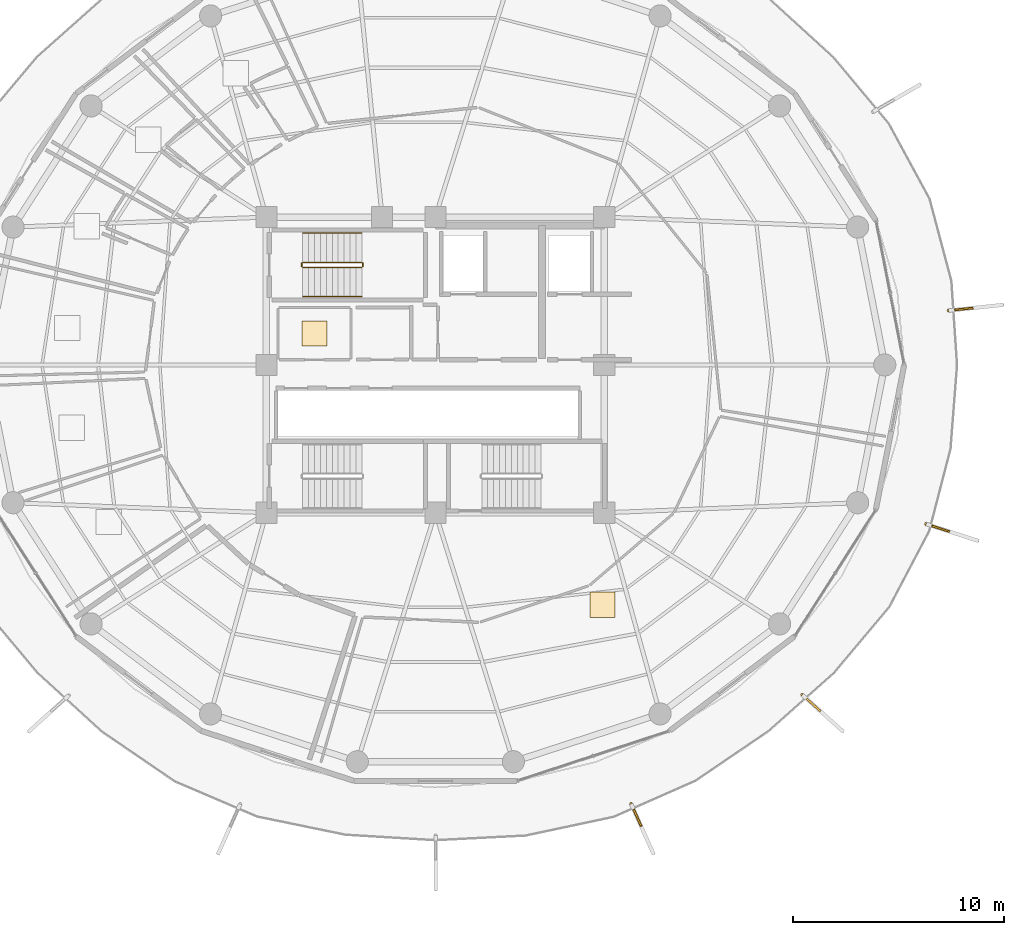
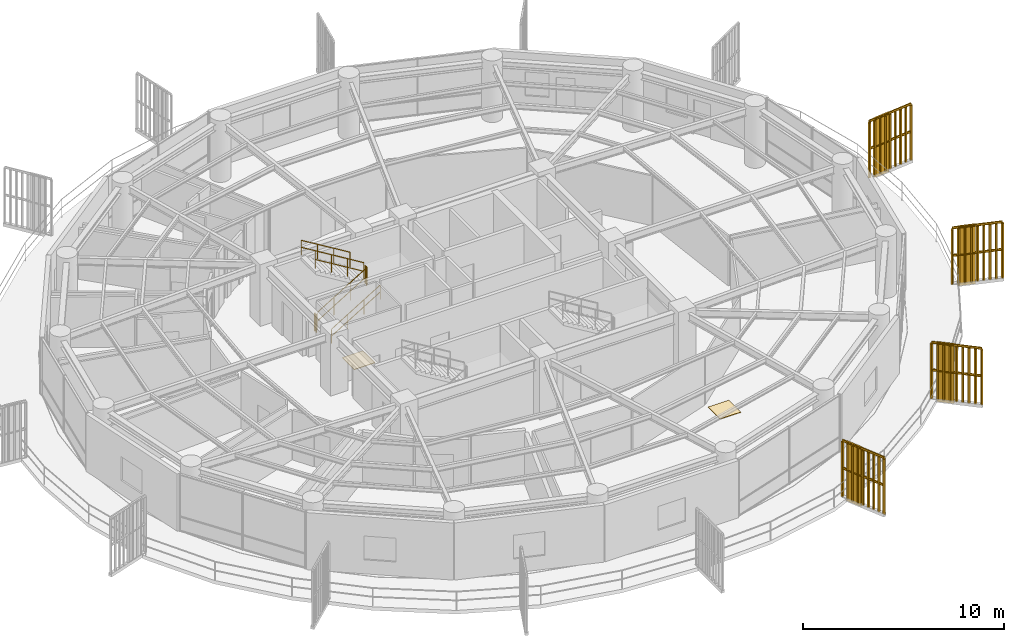
# One storey, part 30 of 31: 10 railings, 4 shading devices, 2 coverings.
"""IFC4 building model written with IfcOpenShell, lengths in metres."""

import ifcopenshell
import ifcopenshell.guid

model = None  # the IFC model being written
_history = None  # IfcOwnerHistory: only IFC2X3 demands one
_inside = {}  # id of a spatial element -> (the spatial element, [elements in it])
_under = {}  # id of a project, library or spatial element -> (it, [spatial elements below it])
_declared = {}  # id of a project -> (the project, [libraries it declares])
_typed = {}  # id of a type object -> (the type object, [elements of that type])
_made_of = {}  # id of a material, layer set ... -> (it, [elements and type objects made of it])


def new_model(schema):
    """Start an empty IFC model of exactly this schema.

    Asked for "IFC4X3", IfcOpenShell would pick the latest addendum, in which some entities
    have other attributes; the version numbers below select the first issue.
    IFC2X3 requires an IfcOwnerHistory on every rooted entity: one is made here for all.
    """
    global model, _history
    if schema == "IFC4X3":
        model = ifcopenshell.file(schema_version=(4, 3, 0, 0))
    else:
        model = ifcopenshell.file(schema=schema)
    _inside.clear()
    _under.clear()
    _declared.clear()
    _typed.clear()
    _made_of.clear()
    _history = None
    if model.schema == "IFC2X3":
        org = make("IfcOrganization", Name="unknown")
        user = make(
            "IfcPersonAndOrganization",
            ThePerson=make("IfcPerson", FamilyName="unknown"),
            TheOrganization=org,
        )
        app = make(
            "IfcApplication",
            ApplicationDeveloper=org,
            Version="unknown",
            ApplicationFullName="unknown",
            ApplicationIdentifier="unknown",
        )
        _history = make(
            "IfcOwnerHistory",
            OwningUser=user,
            OwningApplication=app,
            ChangeAction="ADDED",
            CreationDate=0,
        )
    return model


def make(cls, **values):
    """One entity of the class cls with the attributes given. An attribute that is None is left unset."""
    return model.create_entity(
        cls, **{name: value for name, value in values.items() if value is not None}
    )


def rooted(cls, **values):
    """An entity with a GlobalId (a new one), such as an element, a storey or a relation."""
    return make(cls, GlobalId=ifcopenshell.guid.new(), OwnerHistory=_history, **values)


def si_unit(unit_type, name, prefix=None):
    """IfcSIUnit, for example si_unit("LENGTHUNIT", "METRE", prefix="MILLI")."""
    return make("IfcSIUnit", UnitType=unit_type, Prefix=prefix, Name=name)


def assignment(units):
    """IfcUnitAssignment: the units of a project."""
    return None if units is None else make("IfcUnitAssignment", Units=units)


def point(xyz):
    """IfcCartesianPoint."""
    return None if xyz is None else make("IfcCartesianPoint", Coordinates=xyz)


def direction(xyz):
    """IfcDirection."""
    return None if xyz is None else make("IfcDirection", DirectionRatios=xyz)


def frame(location, z_axis=None, x_axis=None):
    """IfcAxis2Placement3D, a coordinate frame: its origin and axes. An axis left out is left unset."""
    return make(
        "IfcAxis2Placement3D",
        Location=point(location),
        Axis=direction(z_axis),
        RefDirection=direction(x_axis),
    )


def frame_2d(location, x_axis=None):
    """IfcAxis2Placement2D, a coordinate frame in the plane: its origin and x axis."""
    return make(
        "IfcAxis2Placement2D", Location=point(location), RefDirection=direction(x_axis)
    )


def origin():
    """The frame at (0, 0, 0) with its axes left unset."""
    return frame((0.0, 0.0, 0.0))


def origin_2d():
    """The frame at (0, 0) in the plane with its x axis left unset."""
    return frame_2d((0.0, 0.0))


def place(relative_to, where):
    """IfcLocalPlacement: puts the frame where relative to a parent placement (None: the world)."""
    return make(
        "IfcLocalPlacement", PlacementRelTo=relative_to, RelativePlacement=where
    )


def context(
    kind, dimensions, precision=None, world=None, true_north=None, identifier=None
):
    """IfcGeometricRepresentationContext, for example the 3D "Model" context."""
    return make(
        "IfcGeometricRepresentationContext",
        ContextIdentifier=identifier,
        ContextType=kind,
        CoordinateSpaceDimension=dimensions,
        Precision=precision,
        WorldCoordinateSystem=world,
        TrueNorth=true_north,
    )


def subcontext(parent, identifier, kind, view, scale=None):
    """IfcGeometricRepresentationSubContext, for example "Body" below "Model"."""
    return make(
        "IfcGeometricRepresentationSubContext",
        ContextIdentifier=identifier,
        ContextType=kind,
        ParentContext=parent,
        TargetScale=scale,
        TargetView=view,
    )


def project(units=None, contexts=None):
    """IfcProject with its units and contexts."""
    return rooted(
        "IfcProject",
        Name="project",
        RepresentationContexts=contexts,
        UnitsInContext=assignment(units),
    )


def spatial(cls, under=None, at=None, **own):
    """A site, building, storey or space (cls), placed at a placement, below another one or the project."""
    s = rooted(cls, ObjectPlacement=at, **own)
    if under is not None:
        _under.setdefault(under.id(), (under, []))[1].append(s)
    return s


def polyline(points):
    """IfcPolyline through the points."""
    return make("IfcPolyline", Points=[point(p) for p in points])


def profile(cls, at=None, kind="AREA", **sizes):
    """A parametric profile (cls). Its sizes go by their IFC names, for example OverallWidth=200.0."""
    return make(cls, ProfileType=kind, Position=at, **sizes)


def rectangle(**sizes):
    """IfcRectangleProfileDef."""
    return profile("IfcRectangleProfileDef", **sizes)


def outline(outer, holes=None, kind="AREA"):
    """IfcArbitraryClosedProfileDef: a profile drawn as a closed curve; with holes, ...WithVoids."""
    if holes is None:
        return make("IfcArbitraryClosedProfileDef", ProfileType=kind, OuterCurve=outer)
    return make(
        "IfcArbitraryProfileDefWithVoids",
        ProfileType=kind,
        OuterCurve=outer,
        InnerCurves=holes,
    )


def extrude(swept, where, along, depth):
    """IfcExtrudedAreaSolid: the profile swept, set in the frame where, extruded along a direction by depth."""
    return make(
        "IfcExtrudedAreaSolid",
        SweptArea=swept,
        Position=where,
        ExtrudedDirection=direction(along),
        Depth=depth,
    )


def shape(context_of_items, identifier, shape_type, items):
    """IfcShapeRepresentation: the items that make up one representation, for example the "Body"."""
    return make(
        "IfcShapeRepresentation",
        ContextOfItems=context_of_items,
        RepresentationIdentifier=identifier,
        RepresentationType=shape_type,
        Items=items,
    )


def source(mapping_origin, context_of_items, identifier, shape_type, items):
    """IfcRepresentationMap: a shape defined once, which mapped items show again and again."""
    return make(
        "IfcRepresentationMap",
        MappingOrigin=mapping_origin,
        MappedRepresentation=shape(context_of_items, identifier, shape_type, items),
    )


def transform(
    local_origin,
    x_axis=None,
    y_axis=None,
    z_axis=None,
    scale=None,
    scale2=None,
    scale3=None,
    uniform=True,
):
    """IfcCartesianTransformationOperator3D, or its non-uniform kind. x_axis, y_axis, z_axis: its Axis1, 2, 3."""
    if uniform:
        return make(
            "IfcCartesianTransformationOperator3D",
            Axis1=direction(x_axis),
            Axis2=direction(y_axis),
            LocalOrigin=point(local_origin),
            Scale=scale,
            Axis3=direction(z_axis),
        )
    return make(
        "IfcCartesianTransformationOperator3DnonUniform",
        Axis1=direction(x_axis),
        Axis2=direction(y_axis),
        LocalOrigin=point(local_origin),
        Scale=scale,
        Axis3=direction(z_axis),
        Scale2=scale2,
        Scale3=scale3,
    )


def mapped(mapping_source, mapping_target):
    """IfcMappedItem: shows the shape of a source again, moved by a transform."""
    return make(
        "IfcMappedItem", MappingSource=mapping_source, MappingTarget=mapping_target
    )


def material(Name=None, Category=None):
    """IfcMaterial."""
    return make("IfcMaterial", Name=Name, Category=Category)


def layer(
    of_material, thickness, ventilated=None, Name=None, Category=None, Priority=None
):
    """IfcMaterialLayer: one layer of a wall or slab, of a material (None: an air gap)."""
    return make(
        "IfcMaterialLayer",
        Material=of_material,
        LayerThickness=thickness,
        IsVentilated=ventilated,
        Name=Name,
        Category=Category,
        Priority=Priority,
    )


def layer_set(layers, Name=None):
    """IfcMaterialLayerSet."""
    return make("IfcMaterialLayerSet", MaterialLayers=layers, LayerSetName=Name)


def made_of(thing, what):
    """Note that an element or type object is made of a material, layer set ...; save() writes the relation."""
    if what is not None:
        _made_of.setdefault(what.id(), (what, []))[1].append(thing)
    return thing


def type_object(cls, material=None, **own):
    """A type object (cls), such as IfcWallType, which elements share."""
    return made_of(rooted(cls, **own), material)


def element(
    cls,
    number,
    at=None,
    inside=None,
    cuts=None,
    type_object=None,
    material=None,
    context=None,
    identifier="Body",
    shape_type=None,
    held_by="IfcProductDefinitionShape",
    body=None,
    shapes=None,
    **own,
):
    """One element of the class cls, such as IfcWall. Its Tag is "e" and its number.

    at: its placement. inside: the storey or other place that contains it. cuts: it is an
    opening in that element (IfcRelVoidsElement). A single representation is given by context,
    identifier, shape_type and body (its items); several are given by shapes. held_by: the class
    of the entity that holds the representations. save() writes the other relations.
    """
    e = rooted(cls, Tag="e%d" % number, ObjectPlacement=at, **own)
    if body is not None:
        shapes = [shape(context, identifier, shape_type, body)]
    if shapes is not None:
        e.Representation = make(held_by, Representations=shapes)
    if inside is not None:
        _inside.setdefault(inside.id(), (inside, []))[1].append(e)
    if cuts is not None:
        rooted(
            "IfcRelVoidsElement", RelatingBuildingElement=cuts, RelatedOpeningElement=e
        )
    if type_object is not None:
        _typed.setdefault(type_object.id(), (type_object, []))[1].append(e)
    return made_of(e, material)


def aggregate(whole, parts):
    """IfcRelAggregates: a whole, such as a stair, and the parts it consists of."""
    return rooted("IfcRelAggregates", RelatingObject=whole, RelatedObjects=parts)


def save(model, path):
    """Write the relations noted so far, then the file.

    IfcRelAggregates (storeys below a building ...), IfcRelContainedInSpatialStructure (elements
    in a storey), IfcRelDefinesByType, IfcRelAssociatesMaterial and IfcRelDeclares: one each for
    every whole, place, type object, material and project.
    """
    for whole, parts in _under.values():
        aggregate(whole, parts)
    for where, things in _inside.values():
        rooted(
            "IfcRelContainedInSpatialStructure",
            RelatedElements=things,
            RelatingStructure=where,
        )
    for kind, things in _typed.values():
        rooted("IfcRelDefinesByType", RelatedObjects=things, RelatingType=kind)
    for what, things in _made_of.values():
        rooted("IfcRelAssociatesMaterial", RelatedObjects=things, RelatingMaterial=what)
    for by, libraries in _declared.values():
        rooted("IfcRelDeclares", RelatingContext=by, RelatedDefinitions=libraries)
    model.write(path)


model = new_model("IFC4")

# Units and contexts
model_context = context("Model", 3, precision=1e-05, world=origin(), true_north=direction((0.0, 1.0)))
body_context = subcontext(model_context, "Body", "Model", "MODEL_VIEW")
ifc_project = project(units=[si_unit("LENGTHUNIT", "METRE"), si_unit("AREAUNIT", "SQUARE_METRE"), si_unit("VOLUMEUNIT", "CUBIC_METRE"), si_unit("PLANEANGLEUNIT", "RADIAN"), si_unit("MASSUNIT", "GRAM", prefix="KILO")], contexts=[model_context])

# Site, building, storey
site_placement = place(None, origin())
site = spatial("IfcSite", under=ifc_project, at=site_placement, CompositionType="ELEMENT")
building_placement = place(site_placement, origin())
building = spatial("IfcBuilding", under=site, at=building_placement, Name="Kelanora Arch Commons", CompositionType="ELEMENT")
storey_placement = place(building_placement, frame((0.0, 0.0, 226.949951171875)))
storey = spatial("IfcBuildingStorey", under=building, at=storey_placement, Name="L58", CompositionType="ELEMENT", Elevation=226.949951171875)

# Railings
ifc_material_1 = material(Name="Anodised bronze vertical shading fin rib assembly")
railing_type_1 = type_object("IfcRailingType", Name="RAIL-FIN-BRZ", PredefinedType="BALUSTRADE", material=ifc_material_1)
railing_1_placement = place(storey_placement, frame((91.373779296875, 42.37939453125, -0.02001953125)))
element("IfcRailing", 1, at=railing_1_placement, inside=storey, type_object=railing_type_1, Name="Sweeping Bronze Vertical Fin Blade L58-00", PredefinedType="BALUSTRADE", context=body_context, shape_type="SweptSolid", body=[
    extrude(outline(polyline([(0.06982421875, 0.0), (0.034912109375, 0.060546875), (-0.034912109375, 0.060546875), (-0.06982421875, 0.0), (-0.034912109375, -0.060546875), (0.034912109375, -0.060546875), (0.06982421875, 0.0)])), frame((0.0, 0.0, 3.419921875), z_axis=(0.743697768474, -0.66851599021, 0.0), x_axis=(0.66851599021, 0.743697768474, 0.0)), (0.0, 0.0, 1.0), 2.5556640625),
    extrude(outline(polyline([(0.06982421875, 0.0), (0.034912109375, 0.060546875), (-0.034912109375, 0.060546875), (-0.06982421875, 0.0), (-0.034912109375, -0.060546875), (0.034912109375, -0.060546875), (0.06982421875, 0.0)])), frame((0.0, 0.0, 1.7451171875), z_axis=(0.743697768474, -0.66851599021, 0.0), x_axis=(0.66851599021, 0.743697768474, 0.0)), (0.0, 0.0, 1.0), 2.5556640625),
    extrude(outline(polyline([(0.080078125, 0.0), (0.0400390625, 0.0693359375), (-0.0400390625, 0.0693359375), (-0.080078125, 0.0), (-0.0400390625, -0.0693359375), (0.0400390625, -0.0693359375), (0.080078125, 0.0)])), origin(), (0.0, 0.0, 1.0), 3.35009765625),
    extrude(outline(polyline([(0.080078125, 0.0), (0.0400390625, 0.0693359375), (-0.0400390625, 0.0693359375), (-0.080078125, 0.0), (-0.0400390625, -0.0693359375), (0.0400390625, -0.0693359375), (0.080078125, 0.0)])), frame((0.237548828125, -0.213623046875, 0.0)), (0.0, 0.0, 1.0), 3.35009765625),
    extrude(outline(polyline([(0.080078125, 0.0), (0.0400390625, 0.0693359375), (-0.0400390625, 0.0693359375), (-0.080078125, 0.0), (-0.0400390625, -0.0693359375), (0.0400390625, -0.0693359375), (0.080078125, 0.0)])), frame((0.47509765625, -0.42724609375, 0.0)), (0.0, 0.0, 1.0), 3.35009765625),
    extrude(outline(polyline([(0.080078125, 0.0), (0.0400390625, 0.0693359375), (-0.0400390625, 0.0693359375), (-0.080078125, 0.0), (-0.0400390625, -0.0693359375), (0.0400390625, -0.0693359375), (0.080078125, 0.0)])), frame((0.712646484375, -0.640625, 0.0)), (0.0, 0.0, 1.0), 3.35009765625),
    extrude(outline(polyline([(0.080078125, 0.0), (0.0400390625, 0.0693359375), (-0.0400390625, 0.0693359375), (-0.080078125, 0.0), (-0.0400390625, -0.0693359375), (0.0400390625, -0.0693359375), (0.080078125, 0.0)])), frame((0.9501953125, -0.854248046875, 0.0)), (0.0, 0.0, 1.0), 3.35009765625),
    extrude(outline(polyline([(0.080078125, 0.0), (0.0400390625, 0.0693359375), (-0.0400390625, 0.0693359375), (-0.080078125, 0.0), (-0.0400390625, -0.0693359375), (0.0400390625, -0.0693359375), (0.080078125, 0.0)])), frame((1.18798828125, -1.06787109375, 0.0)), (0.0, 0.0, 1.0), 3.35009765625),
    extrude(outline(polyline([(0.080078125, 0.0), (0.0400390625, 0.0693359375), (-0.0400390625, 0.0693359375), (-0.080078125, 0.0), (-0.0400390625, -0.0693359375), (0.0400390625, -0.0693359375), (0.080078125, 0.0)])), frame((1.425537109375, -1.28125, 0.0)), (0.0, 0.0, 1.0), 3.35009765625),
    extrude(outline(polyline([(0.080078125, 0.0), (0.0400390625, 0.0693359375), (-0.0400390625, 0.0693359375), (-0.080078125, 0.0), (-0.0400390625, -0.0693359375), (0.0400390625, -0.0693359375), (0.080078125, 0.0)])), frame((1.6630859375, -1.494873046875, 0.0)), (0.0, 0.0, 1.0), 3.35009765625),
    extrude(outline(polyline([(0.080078125, 0.0), (0.0400390625, 0.0693359375), (-0.0400390625, 0.0693359375), (-0.080078125, 0.0), (-0.0400390625, -0.0693359375), (0.0400390625, -0.0693359375), (0.080078125, 0.0)])), frame((1.900634765625, -1.70849609375, 0.0)), (0.0, 0.0, 1.0), 3.35009765625),
])
railing_2_placement = place(storey_placement, frame((97.241455078125, 50.46728515625, -0.02001953125)))
element("IfcRailing", 2, at=railing_2_placement, inside=storey, type_object=railing_type_1, Name="Sweeping Bronze Vertical Fin Blade L58-01", PredefinedType="BALUSTRADE", context=body_context, shape_type="SweptSolid", body=[
    extrude(outline(polyline([(0.06982421875, 0.0), (0.034912109375, 0.060546875), (-0.034912109375, 0.060546875), (-0.06982421875, 0.0), (-0.034912109375, -0.060546875), (0.034912109375, -0.060546875), (0.06982421875, 0.0)])), frame((0.0, 0.0, 3.419921875), z_axis=(0.951259183227, -0.308392552321, 0.0), x_axis=(0.308392552321, 0.951259183227, 0.0)), (0.0, 0.0, 1.0), 2.555419921875),
    extrude(outline(polyline([(0.06982421875, 0.0), (0.034912109375, 0.060546875), (-0.034912109375, 0.060546875), (-0.06982421875, 0.0), (-0.034912109375, -0.060546875), (0.034912109375, -0.060546875), (0.06982421875, 0.0)])), frame((0.0, 0.0, 1.7451171875), z_axis=(0.951259183227, -0.308392552321, 0.0), x_axis=(0.308392552321, 0.951259183227, 0.0)), (0.0, 0.0, 1.0), 2.555419921875),
    extrude(outline(polyline([(0.080078125, 0.0), (0.0400390625, 0.0693359375), (-0.0400390625, 0.0693359375), (-0.080078125, 0.0), (-0.0400390625, -0.0693359375), (0.0400390625, -0.0693359375), (0.080078125, 0.0)])), origin(), (0.0, 0.0, 1.0), 3.35009765625),
    extrude(outline(polyline([(0.080078125, 0.0), (0.0400390625, 0.0693359375), (-0.0400390625, 0.0693359375), (-0.080078125, 0.0), (-0.0400390625, -0.0693359375), (0.0400390625, -0.0693359375), (0.080078125, 0.0)])), frame((0.303955078125, -0.0986328125, 0.0)), (0.0, 0.0, 1.0), 3.35009765625),
    extrude(outline(polyline([(0.080078125, 0.0), (0.0400390625, 0.0693359375), (-0.0400390625, 0.0693359375), (-0.080078125, 0.0), (-0.0400390625, -0.0693359375), (0.0400390625, -0.0693359375), (0.080078125, 0.0)])), frame((0.607666015625, -0.197021484375, 0.0)), (0.0, 0.0, 1.0), 3.35009765625),
    extrude(outline(polyline([(0.080078125, 0.0), (0.0400390625, 0.0693359375), (-0.0400390625, 0.0693359375), (-0.080078125, 0.0), (-0.0400390625, -0.0693359375), (0.0400390625, -0.0693359375), (0.080078125, 0.0)])), frame((0.91162109375, -0.29541015625, 0.0)), (0.0, 0.0, 1.0), 3.35009765625),
    extrude(outline(polyline([(0.080078125, 0.0), (0.0400390625, 0.0693359375), (-0.0400390625, 0.0693359375), (-0.080078125, 0.0), (-0.0400390625, -0.0693359375), (0.0400390625, -0.0693359375), (0.080078125, 0.0)])), frame((1.21533203125, -0.39404296875, 0.0)), (0.0, 0.0, 1.0), 3.35009765625),
    extrude(outline(polyline([(0.080078125, 0.0), (0.0400390625, 0.0693359375), (-0.0400390625, 0.0693359375), (-0.080078125, 0.0), (-0.0400390625, -0.0693359375), (0.0400390625, -0.0693359375), (0.080078125, 0.0)])), frame((1.519287109375, -0.49267578125, 0.0)), (0.0, 0.0, 1.0), 3.35009765625),
    extrude(outline(polyline([(0.080078125, 0.0), (0.0400390625, 0.0693359375), (-0.0400390625, 0.0693359375), (-0.080078125, 0.0), (-0.0400390625, -0.0693359375), (0.0400390625, -0.0693359375), (0.080078125, 0.0)])), frame((1.8232421875, -0.591064453125, 0.0)), (0.0, 0.0, 1.0), 3.35009765625),
    extrude(outline(polyline([(0.080078125, 0.0), (0.0400390625, 0.0693359375), (-0.0400390625, 0.0693359375), (-0.080078125, 0.0), (-0.0400390625, -0.0693359375), (0.0400390625, -0.0693359375), (0.080078125, 0.0)])), frame((2.126953125, -0.689453125, 0.0)), (0.0, 0.0, 1.0), 3.35009765625),
    extrude(outline(polyline([(0.080078125, 0.0), (0.0400390625, 0.0693359375), (-0.0400390625, 0.0693359375), (-0.080078125, 0.0), (-0.0400390625, -0.0693359375), (0.0400390625, -0.0693359375), (0.080078125, 0.0)])), frame((2.430908203125, -0.7880859375, 0.0)), (0.0, 0.0, 1.0), 3.35009765625),
])
railing_3_placement = place(storey_placement, frame((98.304931640625, 60.572509765625, -0.02001953125)))
element("IfcRailing", 3, at=railing_3_placement, inside=storey, type_object=railing_type_1, Name="Sweeping Bronze Vertical Fin Blade L58-02", PredefinedType="BALUSTRADE", context=body_context, shape_type="SweptSolid", body=[
    extrude(outline(polyline([(0.06982421875, 0.0), (0.034912109375, 0.060546875), (-0.034912109375, 0.060546875), (-0.06982421875, 0.0), (-0.034912109375, -0.060546875), (0.034912109375, -0.060546875), (0.06982421875, 0.0)])), frame((0.0, 0.0, 3.419921875), z_axis=(0.994442455154, 0.105281543432, 0.0), x_axis=(-0.105281543432, 0.994442455154, 0.0)), (0.0, 0.0, 1.0), 2.555419921875),
    extrude(outline(polyline([(0.06982421875, 0.0), (0.034912109375, 0.060546875), (-0.034912109375, 0.060546875), (-0.06982421875, 0.0), (-0.034912109375, -0.060546875), (0.034912109375, -0.060546875), (0.06982421875, 0.0)])), frame((0.0, 0.0, 1.7451171875), z_axis=(0.994442455154, 0.105281543432, 0.0), x_axis=(-0.105281543432, 0.994442455154, 0.0)), (0.0, 0.0, 1.0), 2.555419921875),
    extrude(outline(polyline([(0.080078125, 0.0), (0.0400390625, 0.0693359375), (-0.0400390625, 0.0693359375), (-0.080078125, 0.0), (-0.0400390625, -0.0693359375), (0.0400390625, -0.0693359375), (0.080078125, 0.0)])), origin(), (0.0, 0.0, 1.0), 3.35009765625),
    extrude(outline(polyline([(0.080078125, 0.0), (0.0400390625, 0.0693359375), (-0.0400390625, 0.0693359375), (-0.080078125, 0.0), (-0.0400390625, -0.0693359375), (0.0400390625, -0.0693359375), (0.080078125, 0.0)])), frame((0.317626953125, 0.03369140625, 0.0)), (0.0, 0.0, 1.0), 3.35009765625),
    extrude(outline(polyline([(0.080078125, 0.0), (0.0400390625, 0.0693359375), (-0.0400390625, 0.0693359375), (-0.080078125, 0.0), (-0.0400390625, -0.0693359375), (0.0400390625, -0.0693359375), (0.080078125, 0.0)])), frame((0.63525390625, 0.0673828125, 0.0)), (0.0, 0.0, 1.0), 3.35009765625),
    extrude(outline(polyline([(0.080078125, 0.0), (0.0400390625, 0.0693359375), (-0.0400390625, 0.0693359375), (-0.080078125, 0.0), (-0.0400390625, -0.0693359375), (0.0400390625, -0.0693359375), (0.080078125, 0.0)])), frame((0.952880859375, 0.100830078125, 0.0)), (0.0, 0.0, 1.0), 3.35009765625),
    extrude(outline(polyline([(0.080078125, 0.0), (0.0400390625, 0.0693359375), (-0.0400390625, 0.0693359375), (-0.080078125, 0.0), (-0.0400390625, -0.0693359375), (0.0400390625, -0.0693359375), (0.080078125, 0.0)])), frame((1.2705078125, 0.134521484375, 0.0)), (0.0, 0.0, 1.0), 3.35009765625),
    extrude(outline(polyline([(0.080078125, 0.0), (0.0400390625, 0.0693359375), (-0.0400390625, 0.0693359375), (-0.080078125, 0.0), (-0.0400390625, -0.0693359375), (0.0400390625, -0.0693359375), (0.080078125, 0.0)])), frame((1.58837890625, 0.168212890625, 0.0)), (0.0, 0.0, 1.0), 3.35009765625),
    extrude(outline(polyline([(0.080078125, 0.0), (0.0400390625, 0.0693359375), (-0.0400390625, 0.0693359375), (-0.080078125, 0.0), (-0.0400390625, -0.0693359375), (0.0400390625, -0.0693359375), (0.080078125, 0.0)])), frame((1.906005859375, 0.20166015625, 0.0)), (0.0, 0.0, 1.0), 3.35009765625),
    extrude(outline(polyline([(0.080078125, 0.0), (0.0400390625, 0.0693359375), (-0.0400390625, 0.0693359375), (-0.080078125, 0.0), (-0.0400390625, -0.0693359375), (0.0400390625, -0.0693359375), (0.080078125, 0.0)])), frame((2.2236328125, 0.2353515625, 0.0)), (0.0, 0.0, 1.0), 3.35009765625),
    extrude(outline(polyline([(0.080078125, 0.0), (0.0400390625, 0.0693359375), (-0.0400390625, 0.0693359375), (-0.080078125, 0.0), (-0.0400390625, -0.0693359375), (0.0400390625, -0.0693359375), (0.080078125, 0.0)])), frame((2.541259765625, 0.26904296875, 0.0)), (0.0, 0.0, 1.0), 3.35009765625),
])
railing_4_placement = place(storey_placement, frame((83.27294921875, 37.21337890625, -0.02001953125)))
element("IfcRailing", 4, at=railing_4_placement, inside=storey, type_object=railing_type_1, Name="Sweeping Bronze Vertical Fin Blade L58-14", PredefinedType="BALUSTRADE", context=body_context, shape_type="SweptSolid", body=[
    extrude(outline(polyline([(0.06982421875, 0.0), (0.034912109375, 0.060546875), (-0.034912109375, 0.060546875), (-0.06982421875, 0.0), (-0.034912109375, -0.060546875), (0.034912109375, -0.060546875), (0.06982421875, 0.0)])), frame((0.0, 0.0, 3.419921875), z_axis=(0.40745879515, -0.913223592695, 0.0), x_axis=(0.913223592695, 0.40745879515, 0.0)), (0.0, 0.0, 1.0), 2.555419921875),
    extrude(outline(polyline([(0.06982421875, 0.0), (0.034912109375, 0.060546875), (-0.034912109375, 0.060546875), (-0.06982421875, 0.0), (-0.034912109375, -0.060546875), (0.034912109375, -0.060546875), (0.06982421875, 0.0)])), frame((0.0, 0.0, 1.7451171875), z_axis=(0.40745879515, -0.913223592695, 0.0), x_axis=(0.913223592695, 0.40745879515, 0.0)), (0.0, 0.0, 1.0), 2.555419921875),
    extrude(outline(polyline([(0.080078125, 0.0), (0.0400390625, 0.0693359375), (-0.0400390625, 0.0693359375), (-0.080078125, 0.0), (-0.0400390625, -0.0693359375), (0.0400390625, -0.0693359375), (0.080078125, 0.0)])), origin(), (0.0, 0.0, 1.0), 3.35009765625),
    extrude(outline(polyline([(0.080078125, 0.0), (0.0400390625, 0.0693359375), (-0.0400390625, 0.0693359375), (-0.080078125, 0.0), (-0.0400390625, -0.0693359375), (0.0400390625, -0.0693359375), (0.080078125, 0.0)])), frame((0.130126953125, -0.291748046875, 0.0)), (0.0, 0.0, 1.0), 3.35009765625),
    extrude(outline(polyline([(0.080078125, 0.0), (0.0400390625, 0.0693359375), (-0.0400390625, 0.0693359375), (-0.080078125, 0.0), (-0.0400390625, -0.0693359375), (0.0400390625, -0.0693359375), (0.080078125, 0.0)])), frame((0.26025390625, -0.58349609375, 0.0)), (0.0, 0.0, 1.0), 3.35009765625),
    extrude(outline(polyline([(0.080078125, 0.0), (0.0400390625, 0.0693359375), (-0.0400390625, 0.0693359375), (-0.080078125, 0.0), (-0.0400390625, -0.0693359375), (0.0400390625, -0.0693359375), (0.080078125, 0.0)])), frame((0.390380859375, -0.875244140625, 0.0)), (0.0, 0.0, 1.0), 3.35009765625),
    extrude(outline(polyline([(0.080078125, 0.0), (0.0400390625, 0.0693359375), (-0.0400390625, 0.0693359375), (-0.080078125, 0.0), (-0.0400390625, -0.0693359375), (0.0400390625, -0.0693359375), (0.080078125, 0.0)])), frame((0.5205078125, -1.1669921875, 0.0)), (0.0, 0.0, 1.0), 3.35009765625),
    extrude(outline(polyline([(0.080078125, 0.0), (0.0400390625, 0.0693359375), (-0.0400390625, 0.0693359375), (-0.080078125, 0.0), (-0.0400390625, -0.0693359375), (0.0400390625, -0.0693359375), (0.080078125, 0.0)])), frame((0.65087890625, -1.45849609375, 0.0)), (0.0, 0.0, 1.0), 3.35009765625),
    extrude(outline(polyline([(0.080078125, 0.0), (0.0400390625, 0.0693359375), (-0.0400390625, 0.0693359375), (-0.080078125, 0.0), (-0.0400390625, -0.0693359375), (0.0400390625, -0.0693359375), (0.080078125, 0.0)])), frame((0.781005859375, -1.750244140625, 0.0)), (0.0, 0.0, 1.0), 3.35009765625),
    extrude(outline(polyline([(0.080078125, 0.0), (0.0400390625, 0.0693359375), (-0.0400390625, 0.0693359375), (-0.080078125, 0.0), (-0.0400390625, -0.0693359375), (0.0400390625, -0.0693359375), (0.080078125, 0.0)])), frame((0.9111328125, -2.0419921875, 0.0)), (0.0, 0.0, 1.0), 3.35009765625),
    extrude(outline(polyline([(0.080078125, 0.0), (0.0400390625, 0.0693359375), (-0.0400390625, 0.0693359375), (-0.080078125, 0.0), (-0.0400390625, -0.0693359375), (0.0400390625, -0.0693359375), (0.080078125, 0.0)])), frame((1.041259765625, -2.333740234375, 0.0)), (0.0, 0.0, 1.0), 3.35009765625),
])
ifc_material_2 = material(Name="Painted steel stair well guard", Category="steel")
railing_type_2 = type_object("IfcRailingType", Name="RAIL-STAIR-GRD", PredefinedType="GUARDRAIL", material=ifc_material_2)
railing_5_placement = place(storey_placement, frame((67.719970703125, 62.610107421875, 0.17041015625)))
element("IfcRailing", 5, at=railing_5_placement, inside=storey, type_object=railing_type_2, Name="L58 ST-T1 stair guard 1", PredefinedType="GUARDRAIL", context=body_context, shape_type="SweptSolid", body=[
    extrude(outline(polyline([(0.02392578125, 0.0), (0.011962890625, 0.020751953125), (-0.011962890625, 0.020751953125), (-0.02392578125, 0.0), (-0.011962890625, -0.020751953125), (0.011962890625, -0.020751953125), (0.02392578125, 0.0)])), frame((0.0, 0.0, 1.076171875), z_axis=(0.854169791009, 0.0, 0.51999420009), x_axis=(0.0, 1.0, 0.0)), (0.0, 0.0, 1.0), 3.278076171875),
    extrude(outline(polyline([(0.02392578125, 0.0), (0.011962890625, 0.020751953125), (-0.011962890625, 0.020751953125), (-0.02392578125, 0.0), (-0.011962890625, -0.020751953125), (0.011962890625, -0.020751953125), (0.02392578125, 0.0)])), frame((0.0, 0.0, 0.550048828125), z_axis=(0.854169791009, 0.0, 0.51999420009), x_axis=(0.0, 1.0, 0.0)), (0.0, 0.0, 1.0), 3.278076171875),
    extrude(outline(polyline([(0.02099609375, 0.0), (0.010498046875, 0.01806640625), (-0.010498046875, 0.01806640625), (-0.02099609375, 0.0), (-0.010498046875, -0.01806640625), (0.010498046875, -0.01806640625), (0.02099609375, 0.0)])), origin(), (0.0, 0.0, 1.0), 1.052001953125),
    extrude(outline(polyline([(0.02099609375, 0.0), (0.010498046875, 0.01806640625), (-0.010498046875, 0.01806640625), (-0.02099609375, 0.0), (-0.010498046875, -0.01806640625), (0.010498046875, -0.01806640625), (0.02099609375, 0.0)])), frame((0.933349609375, 0.0, 0.568115234375)), (0.0, 0.0, 1.0), 1.052001953125),
    extrude(outline(polyline([(0.02099609375, 0.0), (0.010498046875, 0.01806640625), (-0.010498046875, 0.01806640625), (-0.02099609375, 0.0), (-0.010498046875, -0.01806640625), (0.010498046875, -0.01806640625), (0.02099609375, 0.0)])), frame((1.86669921875, 0.0, 1.136474609375)), (0.0, 0.0, 1.0), 1.052001953125),
    extrude(outline(polyline([(0.02099609375, 0.0), (0.010498046875, 0.01806640625), (-0.010498046875, 0.01806640625), (-0.02099609375, 0.0), (-0.010498046875, -0.01806640625), (0.010498046875, -0.01806640625), (0.02099609375, 0.0)])), frame((2.800048828125, 0.0, 1.70458984375)), (0.0, 0.0, 1.0), 1.052001953125),
])
railing_6_placement = place(storey_placement, frame((70.570068359375, 62.659912109375, 1.875)))
element("IfcRailing", 6, at=railing_6_placement, inside=storey, type_object=railing_type_2, Name="L58 ST-T1 stair guard 2", PredefinedType="GUARDRAIL", context=body_context, shape_type="SweptSolid", body=[
    extrude(outline(polyline([(0.02392578125, 0.0), (0.011962890625, 0.020751953125), (-0.011962890625, 0.020751953125), (-0.02392578125, 0.0), (-0.011962890625, -0.020751953125), (0.011962890625, -0.020751953125), (0.02392578125, 0.0)])), frame((0.0, 0.0, 1.076171875), z_axis=(0.0, 1.0, 0.0), x_axis=(-1.0, 0.0, 0.0)), (0.0, 0.0, 1.0), 0.150146484375),
    extrude(outline(polyline([(0.02392578125, 0.0), (0.011962890625, 0.020751953125), (-0.011962890625, 0.020751953125), (-0.02392578125, 0.0), (-0.011962890625, -0.020751953125), (0.011962890625, -0.020751953125), (0.02392578125, 0.0)])), frame((0.0, 0.0, 0.550048828125), z_axis=(0.0, 1.0, 0.0), x_axis=(-1.0, 0.0, 0.0)), (0.0, 0.0, 1.0), 0.150146484375),
    extrude(outline(polyline([(0.02099609375, 0.0), (0.010498046875, 0.01806640625), (-0.010498046875, 0.01806640625), (-0.02099609375, 0.0), (-0.010498046875, -0.01806640625), (0.010498046875, -0.01806640625), (0.02099609375, 0.0)])), origin(), (0.0, 0.0, 1.0), 1.052001953125),
    extrude(outline(polyline([(0.02099609375, 0.0), (0.010498046875, 0.01806640625), (-0.010498046875, 0.01806640625), (-0.02099609375, 0.0), (-0.010498046875, -0.01806640625), (0.010498046875, -0.01806640625), (0.02099609375, 0.0)])), frame((0.0, 0.150146484375, 0.0)), (0.0, 0.0, 1.0), 1.052001953125),
])
railing_7_placement = place(storey_placement, frame((70.52001953125, 62.860107421875, 2.04541015625)))
element("IfcRailing", 7, at=railing_7_placement, inside=storey, type_object=railing_type_2, Name="L58 ST-T1 stair guard 3", PredefinedType="GUARDRAIL", context=body_context, shape_type="SweptSolid", body=[
    extrude(outline(polyline([(0.02392578125, 0.0), (0.011962890625, 0.020751953125), (-0.011962890625, 0.020751953125), (-0.02392578125, 0.0), (-0.011962890625, -0.020751953125), (0.011962890625, -0.020751953125), (0.02392578125, 0.0)])), frame((0.0, 0.0, 1.076171875), z_axis=(-0.854169791009, 0.0, 0.51999420009), x_axis=(0.0, -1.0, 0.0)), (0.0, 0.0, 1.0), 3.278076171875),
    extrude(outline(polyline([(0.02392578125, 0.0), (0.011962890625, 0.020751953125), (-0.011962890625, 0.020751953125), (-0.02392578125, 0.0), (-0.011962890625, -0.020751953125), (0.011962890625, -0.020751953125), (0.02392578125, 0.0)])), frame((0.0, 0.0, 0.550048828125), z_axis=(-0.854169791009, 0.0, 0.51999420009), x_axis=(0.0, -1.0, 0.0)), (0.0, 0.0, 1.0), 3.278076171875),
    extrude(outline(polyline([(0.02099609375, 0.0), (0.010498046875, 0.01806640625), (-0.010498046875, 0.01806640625), (-0.02099609375, 0.0), (-0.010498046875, -0.01806640625), (0.010498046875, -0.01806640625), (0.02099609375, 0.0)])), origin(), (0.0, 0.0, 1.0), 1.052001953125),
    extrude(outline(polyline([(0.02099609375, 0.0), (0.010498046875, 0.01806640625), (-0.010498046875, 0.01806640625), (-0.02099609375, 0.0), (-0.010498046875, -0.01806640625), (0.010498046875, -0.01806640625), (0.02099609375, 0.0)])), frame((-0.933349609375, 0.0, 0.568115234375)), (0.0, 0.0, 1.0), 1.052001953125),
    extrude(outline(polyline([(0.02099609375, 0.0), (0.010498046875, 0.01806640625), (-0.010498046875, 0.01806640625), (-0.02099609375, 0.0), (-0.010498046875, -0.01806640625), (0.010498046875, -0.01806640625), (0.02099609375, 0.0)])), frame((-1.86669921875, 0.0, 1.136474609375)), (0.0, 0.0, 1.0), 1.052001953125),
    extrude(outline(polyline([(0.02099609375, 0.0), (0.010498046875, 0.01806640625), (-0.010498046875, 0.01806640625), (-0.02099609375, 0.0), (-0.010498046875, -0.01806640625), (0.010498046875, -0.01806640625), (0.02099609375, 0.0)])), frame((-2.800048828125, 0.0, 1.70458984375)), (0.0, 0.0, 1.0), 1.052001953125),
])
railing_8_placement = place(storey_placement, frame((67.669921875, 62.659912109375, 0.0)))
element("IfcRailing", 8, at=railing_8_placement, inside=storey, type_object=railing_type_2, Name="L58 ST-T1 stair guard 4", PredefinedType="GUARDRAIL", context=body_context, shape_type="SweptSolid", body=[
    extrude(outline(polyline([(0.02392578125, 0.0), (0.011962890625, 0.020751953125), (-0.011962890625, 0.020751953125), (-0.02392578125, 0.0), (-0.011962890625, -0.020751953125), (0.011962890625, -0.020751953125), (0.02392578125, 0.0)])), frame((0.0, 0.0, 1.076171875), z_axis=(0.0, 1.0, 0.0), x_axis=(-1.0, 0.0, 0.0)), (0.0, 0.0, 1.0), 0.150146484375),
    extrude(outline(polyline([(0.02392578125, 0.0), (0.011962890625, 0.020751953125), (-0.011962890625, 0.020751953125), (-0.02392578125, 0.0), (-0.011962890625, -0.020751953125), (0.011962890625, -0.020751953125), (0.02392578125, 0.0)])), frame((0.0, 0.0, 0.550048828125), z_axis=(0.0, 1.0, 0.0), x_axis=(-1.0, 0.0, 0.0)), (0.0, 0.0, 1.0), 0.150146484375),
    extrude(outline(polyline([(0.02099609375, 0.0), (0.010498046875, 0.01806640625), (-0.010498046875, 0.01806640625), (-0.02099609375, 0.0), (-0.010498046875, -0.01806640625), (0.010498046875, -0.01806640625), (0.02099609375, 0.0)])), origin(), (0.0, 0.0, 1.0), 1.052001953125),
    extrude(outline(polyline([(0.02099609375, 0.0), (0.010498046875, 0.01806640625), (-0.010498046875, 0.01806640625), (-0.02099609375, 0.0), (-0.010498046875, -0.01806640625), (0.010498046875, -0.01806640625), (0.02099609375, 0.0)])), frame((0.0, 0.150146484375, 0.0)), (0.0, 0.0, 1.0), 1.052001953125),
])
ifc_material_3 = material(Name="Brushed stainless steel stair handrail", Category="steel")
railing_type_3 = type_object("IfcRailingType", Name="RAIL-STAIR-HND", PredefinedType="HANDRAIL", material=ifc_material_3)
railing_9_placement = place(storey_placement, frame((67.719970703125, 61.22998046875, 0.17041015625)))
element("IfcRailing", 9, at=railing_9_placement, inside=storey, type_object=railing_type_3, Name="L58 ST-T1 stair handrail 1", PredefinedType="HANDRAIL", context=body_context, shape_type="SweptSolid", body=[
    extrude(outline(polyline([(0.02392578125, 0.0), (0.011962890625, 0.020751953125), (-0.011962890625, 0.020751953125), (-0.02392578125, 0.0), (-0.011962890625, -0.020751953125), (0.011962890625, -0.020751953125), (0.02392578125, 0.0)])), frame((0.0, 0.0, 0.8759765625), z_axis=(0.854169791009, 0.0, 0.51999420009), x_axis=(0.0, 1.0, 0.0)), (0.0, 0.0, 1.0), 3.278076171875),
    extrude(outline(polyline([(0.02392578125, 0.0), (0.011962890625, 0.020751953125), (-0.011962890625, 0.020751953125), (-0.02392578125, 0.0), (-0.011962890625, -0.020751953125), (0.011962890625, -0.020751953125), (0.02392578125, 0.0)])), frame((0.0, 0.0, 0.449951171875), z_axis=(0.854169791009, 0.0, 0.51999420009), x_axis=(0.0, 1.0, 0.0)), (0.0, 0.0, 1.0), 3.278076171875),
    extrude(outline(polyline([(0.02099609375, 0.0), (0.010498046875, 0.01806640625), (-0.010498046875, 0.01806640625), (-0.02099609375, 0.0), (-0.010498046875, -0.01806640625), (0.010498046875, -0.01806640625), (0.02099609375, 0.0)])), origin(), (0.0, 0.0, 1.0), 0.851806640625),
    extrude(outline(polyline([(0.02099609375, 0.0), (0.010498046875, 0.01806640625), (-0.010498046875, 0.01806640625), (-0.02099609375, 0.0), (-0.010498046875, -0.01806640625), (0.010498046875, -0.01806640625), (0.02099609375, 0.0)])), frame((0.933349609375, 0.0, 0.568115234375)), (0.0, 0.0, 1.0), 0.851806640625),
    extrude(outline(polyline([(0.02099609375, 0.0), (0.010498046875, 0.01806640625), (-0.010498046875, 0.01806640625), (-0.02099609375, 0.0), (-0.010498046875, -0.01806640625), (0.010498046875, -0.01806640625), (0.02099609375, 0.0)])), frame((1.86669921875, 0.0, 1.136474609375)), (0.0, 0.0, 1.0), 0.851806640625),
    extrude(outline(polyline([(0.02099609375, 0.0), (0.010498046875, 0.01806640625), (-0.010498046875, 0.01806640625), (-0.02099609375, 0.0), (-0.010498046875, -0.01806640625), (0.010498046875, -0.01806640625), (0.02099609375, 0.0)])), frame((2.800048828125, 0.0, 1.70458984375)), (0.0, 0.0, 1.0), 0.851806640625),
])
railing_10_placement = place(storey_placement, frame((70.52001953125, 64.239990234375, 2.04541015625)))
element("IfcRailing", 10, at=railing_10_placement, inside=storey, type_object=railing_type_3, Name="L58 ST-T1 stair handrail 2", PredefinedType="HANDRAIL", context=body_context, shape_type="SweptSolid", body=[
    extrude(outline(polyline([(0.02392578125, 0.0), (0.011962890625, 0.020751953125), (-0.011962890625, 0.020751953125), (-0.02392578125, 0.0), (-0.011962890625, -0.020751953125), (0.011962890625, -0.020751953125), (0.02392578125, 0.0)])), frame((0.0, 0.0, 0.8759765625), z_axis=(-0.854169791009, 0.0, 0.51999420009), x_axis=(0.0, -1.0, 0.0)), (0.0, 0.0, 1.0), 3.278076171875),
    extrude(outline(polyline([(0.02392578125, 0.0), (0.011962890625, 0.020751953125), (-0.011962890625, 0.020751953125), (-0.02392578125, 0.0), (-0.011962890625, -0.020751953125), (0.011962890625, -0.020751953125), (0.02392578125, 0.0)])), frame((0.0, 0.0, 0.449951171875), z_axis=(-0.854169791009, 0.0, 0.51999420009), x_axis=(0.0, -1.0, 0.0)), (0.0, 0.0, 1.0), 3.278076171875),
    extrude(outline(polyline([(0.02099609375, 0.0), (0.010498046875, 0.01806640625), (-0.010498046875, 0.01806640625), (-0.02099609375, 0.0), (-0.010498046875, -0.01806640625), (0.010498046875, -0.01806640625), (0.02099609375, 0.0)])), origin(), (0.0, 0.0, 1.0), 0.851806640625),
    extrude(outline(polyline([(0.02099609375, 0.0), (0.010498046875, 0.01806640625), (-0.010498046875, 0.01806640625), (-0.02099609375, 0.0), (-0.010498046875, -0.01806640625), (0.010498046875, -0.01806640625), (0.02099609375, 0.0)])), frame((-0.933349609375, 0.0, 0.568115234375)), (0.0, 0.0, 1.0), 0.851806640625),
    extrude(outline(polyline([(0.02099609375, 0.0), (0.010498046875, 0.01806640625), (-0.010498046875, 0.01806640625), (-0.02099609375, 0.0), (-0.010498046875, -0.01806640625), (0.010498046875, -0.01806640625), (0.02099609375, 0.0)])), frame((-1.86669921875, 0.0, 1.136474609375)), (0.0, 0.0, 1.0), 0.851806640625),
    extrude(outline(polyline([(0.02099609375, 0.0), (0.010498046875, 0.01806640625), (-0.010498046875, 0.01806640625), (-0.02099609375, 0.0), (-0.010498046875, -0.01806640625), (0.010498046875, -0.01806640625), (0.02099609375, 0.0)])), frame((-2.800048828125, 0.0, 1.70458984375)), (0.0, 0.0, 1.0), 0.851806640625),
])

# Shading devices
ifc_material_4 = material(Name="Terracotta ceramic-clad extruded aluminium fin", Category="masonry")
shading_device_type = type_object("IfcShadingDeviceType", Name="SHD-FIN-FLARE", PredefinedType="USERDEFINED", material=ifc_material_4)
shared_shape_1 = source(origin(), body_context, "Body", "SweptSolid", [
    extrude(rectangle(XDim=0.8798828125, YDim=0.090087890625, at=origin_2d()), origin(), (0.0, 0.0, 1.0), 3.610107421875),
])
for number, where, z_axis, x_axis, name in (
    (11, (91.9091796875, 41.898193359375, -0.14013671875), (0.0, 0.0, 1.0), (0.743611785628, -0.668611630377, 0.0), "Sweeping Terracotta Fin L58-00"),
    (12, (97.92626953125, 50.245361328125, -0.14013671875), (0.0, 0.0, 1.0), (0.951272019071, -0.30835295642, 0.0), "Sweeping Terracotta Fin L58-01"),
    (13, (99.02099609375, 60.6484375, -0.14013671875), (0.0, 0.0, 1.0), (0.994448678381, 0.105222745001, 0.0), "Sweeping Terracotta Fin L58-02"),
    (14, (83.56640625, 36.555908203125, -0.14013671875), (0.0, 0.0, 1.0), (0.407374318949, -0.913261279296, 0.0), "Sweeping Terracotta Fin L58-14"),
):
    element("IfcShadingDevice", number, at=place(storey_placement, frame(where, z_axis=z_axis, x_axis=x_axis)), inside=storey, type_object=shading_device_type, Name=name, ObjectType="FIN", PredefinedType="USERDEFINED", context=body_context, shape_type="MappedRepresentation", body=[
        mapped(shared_shape_1, transform((0.0, 0.0, 0.0), scale=1.0)),
    ])

# Coverings
ifc_material_5 = material(Name="Polished local granite terrazzo flooring", Category="masonry")
ifc_layer = layer(ifc_material_5, 0.030029296875)
ifc_layer_set = layer_set([ifc_layer], Name="Polished local granite terrazzo flooring")
covering_type = type_object("IfcCoveringType", Name="COV-FLR-TER", PredefinedType="FLOORING", material=ifc_layer_set)
shared_shape_2 = source(origin(), body_context, "Body", "SweptSolid", [
    extrude(rectangle(XDim=1.199951171875, YDim=1.199951171875, at=origin_2d()), origin(), (0.0, 0.0, 1.0), 0.030029296875),
])
for number, where, z_axis, x_axis, name in (
    (15, (68.27490234375, 59.485107421875, 0.0), (0.0, 0.0, 1.0), (1.0, 0.0, 0.0), "Reclaimed Core Quiet Phone Booths L58 Terrazzo Finish"),
    (16, (81.915771484375, 46.641845703125, 0.0), (0.0, 0.0, 1.0), (1.0, 0.0, 0.0), "South-East Social Sky Lounge L58 Terrazzo Finish"),
):
    element("IfcCovering", number, at=place(storey_placement, frame(where, z_axis=z_axis, x_axis=x_axis)), inside=storey, type_object=covering_type, Name=name, PredefinedType="FLOORING", context=body_context, shape_type="MappedRepresentation", body=[
        mapped(shared_shape_2, transform((0.0, 0.0, 0.0), scale=1.0)),
    ])

save(model, "model.ifc")
